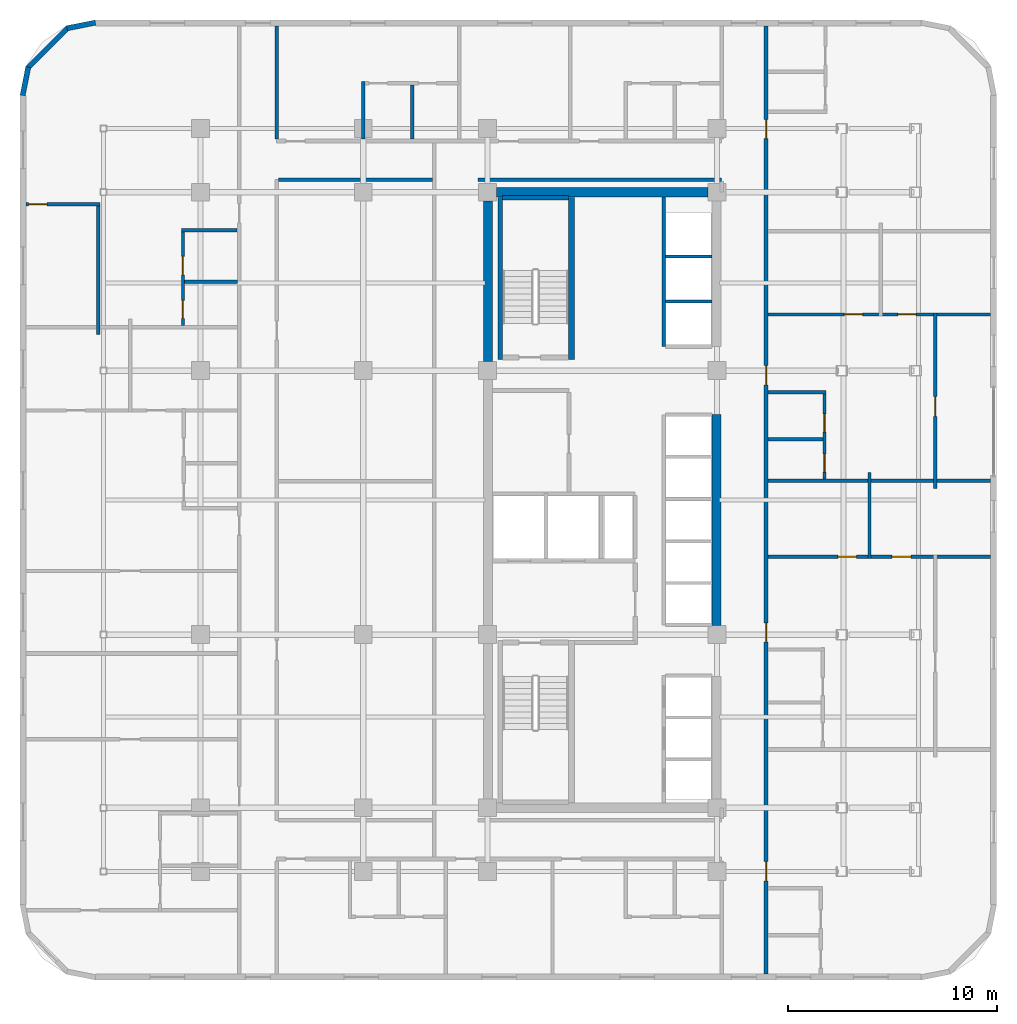
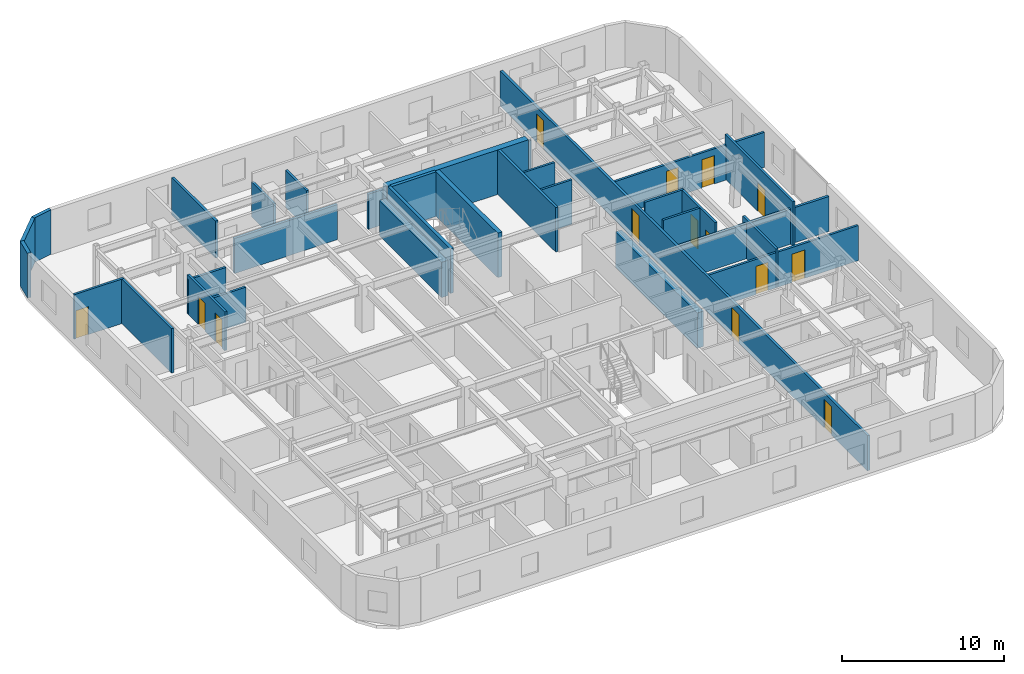
# One storey, part 10 of 13: 31 walls, 14 doors, 14 openings.
"""IFC4 building model written with IfcOpenShell, lengths in metres."""

import ifcopenshell
import ifcopenshell.guid

model = None  # the IFC model being written
_history = None  # IfcOwnerHistory: only IFC2X3 demands one
_inside = {}  # id of a spatial element -> (the spatial element, [elements in it])
_under = {}  # id of a project, library or spatial element -> (it, [spatial elements below it])
_declared = {}  # id of a project -> (the project, [libraries it declares])
_typed = {}  # id of a type object -> (the type object, [elements of that type])
_made_of = {}  # id of a material, layer set ... -> (it, [elements and type objects made of it])


def new_model(schema):
    """Start an empty IFC model of exactly this schema.

    Asked for "IFC4X3", IfcOpenShell would pick the latest addendum, in which some entities
    have other attributes; the version numbers below select the first issue.
    IFC2X3 requires an IfcOwnerHistory on every rooted entity: one is made here for all.
    """
    global model, _history
    if schema == "IFC4X3":
        model = ifcopenshell.file(schema_version=(4, 3, 0, 0))
    else:
        model = ifcopenshell.file(schema=schema)
    _inside.clear()
    _under.clear()
    _declared.clear()
    _typed.clear()
    _made_of.clear()
    _history = None
    if model.schema == "IFC2X3":
        org = make("IfcOrganization", Name="unknown")
        user = make(
            "IfcPersonAndOrganization",
            ThePerson=make("IfcPerson", FamilyName="unknown"),
            TheOrganization=org,
        )
        app = make(
            "IfcApplication",
            ApplicationDeveloper=org,
            Version="unknown",
            ApplicationFullName="unknown",
            ApplicationIdentifier="unknown",
        )
        _history = make(
            "IfcOwnerHistory",
            OwningUser=user,
            OwningApplication=app,
            ChangeAction="ADDED",
            CreationDate=0,
        )
    return model


def make(cls, **values):
    """One entity of the class cls with the attributes given. An attribute that is None is left unset."""
    return model.create_entity(
        cls, **{name: value for name, value in values.items() if value is not None}
    )


def rooted(cls, **values):
    """An entity with a GlobalId (a new one), such as an element, a storey or a relation."""
    return make(cls, GlobalId=ifcopenshell.guid.new(), OwnerHistory=_history, **values)


def si_unit(unit_type, name, prefix=None):
    """IfcSIUnit, for example si_unit("LENGTHUNIT", "METRE", prefix="MILLI")."""
    return make("IfcSIUnit", UnitType=unit_type, Prefix=prefix, Name=name)


def assignment(units):
    """IfcUnitAssignment: the units of a project."""
    return None if units is None else make("IfcUnitAssignment", Units=units)


def point(xyz):
    """IfcCartesianPoint."""
    return None if xyz is None else make("IfcCartesianPoint", Coordinates=xyz)


def direction(xyz):
    """IfcDirection."""
    return None if xyz is None else make("IfcDirection", DirectionRatios=xyz)


def frame(location, z_axis=None, x_axis=None):
    """IfcAxis2Placement3D, a coordinate frame: its origin and axes. An axis left out is left unset."""
    return make(
        "IfcAxis2Placement3D",
        Location=point(location),
        Axis=direction(z_axis),
        RefDirection=direction(x_axis),
    )


def frame_2d(location, x_axis=None):
    """IfcAxis2Placement2D, a coordinate frame in the plane: its origin and x axis."""
    return make(
        "IfcAxis2Placement2D", Location=point(location), RefDirection=direction(x_axis)
    )


def origin():
    """The frame at (0, 0, 0) with its axes left unset."""
    return frame((0.0, 0.0, 0.0))


def place(relative_to, where):
    """IfcLocalPlacement: puts the frame where relative to a parent placement (None: the world)."""
    return make(
        "IfcLocalPlacement", PlacementRelTo=relative_to, RelativePlacement=where
    )


def context(
    kind, dimensions, precision=None, world=None, true_north=None, identifier=None
):
    """IfcGeometricRepresentationContext, for example the 3D "Model" context."""
    return make(
        "IfcGeometricRepresentationContext",
        ContextIdentifier=identifier,
        ContextType=kind,
        CoordinateSpaceDimension=dimensions,
        Precision=precision,
        WorldCoordinateSystem=world,
        TrueNorth=true_north,
    )


def subcontext(parent, identifier, kind, view, scale=None):
    """IfcGeometricRepresentationSubContext, for example "Body" below "Model"."""
    return make(
        "IfcGeometricRepresentationSubContext",
        ContextIdentifier=identifier,
        ContextType=kind,
        ParentContext=parent,
        TargetScale=scale,
        TargetView=view,
    )


def project(units=None, contexts=None):
    """IfcProject with its units and contexts."""
    return rooted(
        "IfcProject",
        Name="project",
        RepresentationContexts=contexts,
        UnitsInContext=assignment(units),
    )


def spatial(cls, under=None, at=None, **own):
    """A site, building, storey or space (cls), placed at a placement, below another one or the project."""
    s = rooted(cls, ObjectPlacement=at, **own)
    if under is not None:
        _under.setdefault(under.id(), (under, []))[1].append(s)
    return s


def profile(cls, at=None, kind="AREA", **sizes):
    """A parametric profile (cls). Its sizes go by their IFC names, for example OverallWidth=200.0."""
    return make(cls, ProfileType=kind, Position=at, **sizes)


def rectangle(**sizes):
    """IfcRectangleProfileDef."""
    return profile("IfcRectangleProfileDef", **sizes)


def extrude(swept, where, along, depth):
    """IfcExtrudedAreaSolid: the profile swept, set in the frame where, extruded along a direction by depth."""
    return make(
        "IfcExtrudedAreaSolid",
        SweptArea=swept,
        Position=where,
        ExtrudedDirection=direction(along),
        Depth=depth,
    )


def shape(context_of_items, identifier, shape_type, items):
    """IfcShapeRepresentation: the items that make up one representation, for example the "Body"."""
    return make(
        "IfcShapeRepresentation",
        ContextOfItems=context_of_items,
        RepresentationIdentifier=identifier,
        RepresentationType=shape_type,
        Items=items,
    )


def material(Name=None, Category=None):
    """IfcMaterial."""
    return make("IfcMaterial", Name=Name, Category=Category)


def layer(
    of_material, thickness, ventilated=None, Name=None, Category=None, Priority=None
):
    """IfcMaterialLayer: one layer of a wall or slab, of a material (None: an air gap)."""
    return make(
        "IfcMaterialLayer",
        Material=of_material,
        LayerThickness=thickness,
        IsVentilated=ventilated,
        Name=Name,
        Category=Category,
        Priority=Priority,
    )


def layer_set(layers, Name=None):
    """IfcMaterialLayerSet."""
    return make("IfcMaterialLayerSet", MaterialLayers=layers, LayerSetName=Name)


def made_of(thing, what):
    """Note that an element or type object is made of a material, layer set ...; save() writes the relation."""
    if what is not None:
        _made_of.setdefault(what.id(), (what, []))[1].append(thing)
    return thing


def type_object(cls, material=None, **own):
    """A type object (cls), such as IfcWallType, which elements share."""
    return made_of(rooted(cls, **own), material)


def element(
    cls,
    number,
    at=None,
    inside=None,
    cuts=None,
    type_object=None,
    material=None,
    context=None,
    identifier="Body",
    shape_type=None,
    held_by="IfcProductDefinitionShape",
    body=None,
    shapes=None,
    **own,
):
    """One element of the class cls, such as IfcWall. Its Tag is "e" and its number.

    at: its placement. inside: the storey or other place that contains it. cuts: it is an
    opening in that element (IfcRelVoidsElement). A single representation is given by context,
    identifier, shape_type and body (its items); several are given by shapes. held_by: the class
    of the entity that holds the representations. save() writes the other relations.
    """
    e = rooted(cls, Tag="e%d" % number, ObjectPlacement=at, **own)
    if body is not None:
        shapes = [shape(context, identifier, shape_type, body)]
    if shapes is not None:
        e.Representation = make(held_by, Representations=shapes)
    if inside is not None:
        _inside.setdefault(inside.id(), (inside, []))[1].append(e)
    if cuts is not None:
        rooted(
            "IfcRelVoidsElement", RelatingBuildingElement=cuts, RelatedOpeningElement=e
        )
    if type_object is not None:
        _typed.setdefault(type_object.id(), (type_object, []))[1].append(e)
    return made_of(e, material)


def fill(opening, filler):
    """IfcRelFillsElement: the door or window that sits in an opening."""
    return rooted(
        "IfcRelFillsElement",
        RelatingOpeningElement=opening,
        RelatedBuildingElement=filler,
    )


def aggregate(whole, parts):
    """IfcRelAggregates: a whole, such as a stair, and the parts it consists of."""
    return rooted("IfcRelAggregates", RelatingObject=whole, RelatedObjects=parts)


def save(model, path):
    """Write the relations noted so far, then the file.

    IfcRelAggregates (storeys below a building ...), IfcRelContainedInSpatialStructure (elements
    in a storey), IfcRelDefinesByType, IfcRelAssociatesMaterial and IfcRelDeclares: one each for
    every whole, place, type object, material and project.
    """
    for whole, parts in _under.values():
        aggregate(whole, parts)
    for where, things in _inside.values():
        rooted(
            "IfcRelContainedInSpatialStructure",
            RelatedElements=things,
            RelatingStructure=where,
        )
    for kind, things in _typed.values():
        rooted("IfcRelDefinesByType", RelatedObjects=things, RelatingType=kind)
    for what, things in _made_of.values():
        rooted("IfcRelAssociatesMaterial", RelatedObjects=things, RelatingMaterial=what)
    for by, libraries in _declared.values():
        rooted("IfcRelDeclares", RelatingContext=by, RelatedDefinitions=libraries)
    model.write(path)


model = new_model("IFC4")

# Units and contexts
model_context = context("Model", 3, precision=1e-05, world=origin(), true_north=direction((0.0, 1.0)))
body_context = subcontext(model_context, "Body", "Model", "MODEL_VIEW")
ifc_project = project(units=[si_unit("LENGTHUNIT", "METRE"), si_unit("AREAUNIT", "SQUARE_METRE"), si_unit("VOLUMEUNIT", "CUBIC_METRE"), si_unit("PLANEANGLEUNIT", "RADIAN"), si_unit("MASSUNIT", "GRAM", prefix="KILO")], contexts=[model_context])

# Site, building, storey
site_placement = place(None, origin())
site = spatial("IfcSite", under=ifc_project, at=site_placement, CompositionType="ELEMENT")
building_placement = place(site_placement, origin())
building = spatial("IfcBuilding", under=site, at=building_placement, Name="Ochreholt Gables", CompositionType="ELEMENT")
storey_placement = place(building_placement, frame((0.0, 0.0, 34.800048828125)))
storey = spatial("IfcBuildingStorey", under=building, at=storey_placement, Name="L08", CompositionType="ELEMENT", Elevation=34.800048828125)

# Walls
ifc_material_1 = material(Name="Concrete 60 MPa", Category="concrete")
ifc_layer_1 = layer(ifc_material_1, 0.449951171875, Name="Concrete 60 MPa")
ifc_layer_set_1 = layer_set([ifc_layer_1], Name="Concrete 60 MPa")
wall_type_1 = type_object("IfcWallType", Name="WALL-CSW-450", PredefinedType="SHEAR", material=ifc_layer_set_1)
wall_1_placement = place(storey_placement, frame((24.22509765625, 30.625, 0.0), z_axis=(0.0, 0.0, 1.0), x_axis=(0.0, 1.0, 0.0)))
element("IfcWall", 1, at=wall_1_placement, inside=storey, type_object=wall_type_1, Name="L08 Core West Shear Wall WN", PredefinedType="SHEAR", context=body_context, shape_type="SweptSolid", body=[
    extrude(rectangle(XDim=7.699951171875, YDim=0.449951171875, at=frame_2d((3.85009765625, 0.0))), origin(), (0.0, 0.0, 1.0), 2.6669921875),
])
wall_2_placement = place(storey_placement, frame((35.175048828125, 17.97509765625, 0.0), z_axis=(0.0, 0.0, 1.0), x_axis=(0.0, 1.0, 0.0)))
element("IfcWall", 2, at=wall_2_placement, inside=storey, type_object=wall_type_1, Name="L08 Core Central-East Shear Wall", PredefinedType="SHEAR", context=body_context, shape_type="SweptSolid", body=[
    extrude(rectangle(XDim=10.125, YDim=0.449951171875, at=frame_2d((5.0625, 0.0))), origin(), (0.0, 0.0, 1.0), 2.6669921875),
])
wall_3_placement = place(storey_placement, frame((24.625, 38.75, 0.0), z_axis=(0.0, 0.0, 1.0), x_axis=(1.0, 0.0, 0.0)))
element("IfcWall", 3, at=wall_3_placement, inside=storey, type_object=wall_type_1, Name="L08 Core North Shear Wall", PredefinedType="SHEAR", context=body_context, shape_type="SweptSolid", body=[
    extrude(rectangle(XDim=10.14990234375, YDim=0.449951171875, at=frame_2d((5.074951171875, 0.0))), origin(), (0.0, 0.0, 1.0), 3.35986328125),
])
ifc_material_2 = material(Name="Precast concrete 40 MPa", Category="concrete")
ifc_layer_2 = layer(ifc_material_2, 0.25, Name="Precast concrete 40 MPa")
ifc_layer_set_2 = layer_set([ifc_layer_2], Name="Precast concrete 40 MPa")
wall_type_2 = type_object("IfcWallType", Name="WALL-EXT-CNR", PredefinedType="SOLIDWALL", material=ifc_layer_set_2)
wall_4_placement = place(storey_placement, frame((5.41650390625, 46.875732421875, 0.0), z_axis=(0.0, 0.0, 1.0), x_axis=(-0.980809899341, -0.19496651342, 0.0)))
element("IfcWall", 4, at=wall_4_placement, inside=storey, type_object=wall_type_2, Name="L08 Rounded Corner Wall NW-1", PredefinedType="SOLIDWALL", context=body_context, shape_type="SweptSolid", body=[
    extrude(rectangle(XDim=1.388671875, YDim=0.25, at=frame_2d((0.6943359375, 0.0))), origin(), (0.0, 0.0, 1.0), 3.35986328125),
])
wall_5_placement = place(storey_placement, frame((4.10498046875, 46.632080078125, 0.0), z_axis=(0.0, 0.0, 1.0), x_axis=(-0.707106781187, -0.707106781187, 0.0)))
element("IfcWall", 5, at=wall_5_placement, inside=storey, type_object=wall_type_2, Name="L08 Rounded Corner Wall NW-2", PredefinedType="SOLIDWALL", context=body_context, shape_type="SweptSolid", body=[
    extrude(rectangle(XDim=2.7392578125, YDim=0.25, at=frame_2d((1.36962890625, 0.0))), origin(), (0.0, 0.0, 1.0), 3.35986328125),
])
wall_6_placement = place(storey_placement, frame((2.195068359375, 44.74560546875, 0.0), z_axis=(0.0, 0.0, 1.0), x_axis=(-0.19496651342, -0.980809899341, 0.0)))
element("IfcWall", 6, at=wall_6_placement, inside=storey, type_object=wall_type_2, Name="L08 Rounded Corner Wall NW-3", PredefinedType="SOLIDWALL", context=body_context, shape_type="SweptSolid", body=[
    extrude(rectangle(XDim=1.388671875, YDim=0.25, at=frame_2d((0.6943359375, 0.0))), origin(), (0.0, 0.0, 1.0), 3.35986328125),
])

# Wall, openings, doors
ifc_material_3 = material(Name="Fire-Rated Gypsum Acoustic Partition", Category="gypsum")
ifc_layer_3 = layer(ifc_material_3, 0.179931640625, Name="Fire-Rated Gypsum Acoustic Partition")
ifc_layer_set_3 = layer_set([ifc_layer_3], Name="Fire-Rated Gypsum Acoustic Partition")
wall_type_3 = type_object("IfcWallType", Name="WALL-INT-CR180", PredefinedType="STANDARD", material=ifc_layer_set_3)
wall_7_placement = place(storey_placement, frame((37.550048828125, 1.2900390625, 0.0), z_axis=(0.0, 0.0, 1.0), x_axis=(0.0, 1.0, 0.0)))
wall_7 = element("IfcWall", 7, at=wall_7_placement, inside=storey, type_object=wall_type_3, Name="L08 Interior Wall WI-C1E-L08", PredefinedType="STANDARD", context=body_context, shape_type="SweptSolid", body=[
    extrude(rectangle(XDim=45.419921875, YDim=0.179931640625, at=frame_2d((22.7099609375, 0.0))), origin(), (0.0, 0.0, 1.0), 2.64892578125),
])
opening_1_placement = place(wall_7_placement, frame((4.4599609375, 0.0, 0.0)))
opening_1 = element("IfcOpeningElement", 8, at=opening_1_placement, cuts=wall_7, Name="Opening D-UN1", PredefinedType="OPENING", context=body_context, shape_type="SweptSolid", body=[
    extrude(rectangle(XDim=0.919921875, YDim=2.14990234375, at=frame_2d((0.4599609375, 1.074951171875))), frame((0.0, 0.099853515625, 0.0), z_axis=(0.0, -1.0, 0.0), x_axis=(1.0, 0.0, 0.0)), (0.0, 0.0, 1.0), 0.199951171875),
])
opening_2_placement = place(wall_7_placement, frame((15.906982421875, 0.0, 0.0)))
opening_2 = element("IfcOpeningElement", 9, at=opening_2_placement, cuts=wall_7, Name="Opening D-UN1", PredefinedType="OPENING", context=body_context, shape_type="SweptSolid", body=[
    extrude(rectangle(XDim=0.919921875, YDim=2.14990234375, at=frame_2d((0.4599609375, 1.074951171875))), frame((0.0, 0.099853515625, 0.0), z_axis=(0.0, -1.0, 0.0), x_axis=(1.0, 0.0, 0.0)), (0.0, 0.0, 1.0), 0.199951171875),
])
opening_3_placement = place(wall_7_placement, frame((28.22998046875, 0.0, 0.0)))
opening_3 = element("IfcOpeningElement", 10, at=opening_3_placement, cuts=wall_7, Name="Opening D-UN1", PredefinedType="OPENING", context=body_context, shape_type="SweptSolid", body=[
    extrude(rectangle(XDim=0.919921875, YDim=2.14990234375, at=frame_2d((0.4599609375, 1.074951171875))), frame((0.0, 0.099853515625, 0.0), z_axis=(0.0, -1.0, 0.0), x_axis=(1.0, 0.0, 0.0)), (0.0, 0.0, 1.0), 0.199951171875),
])
opening_4_placement = place(wall_7_placement, frame((40.02001953125, 0.0, 0.0)))
opening_4 = element("IfcOpeningElement", 11, at=opening_4_placement, cuts=wall_7, Name="Opening D-UN1", PredefinedType="OPENING", context=body_context, shape_type="SweptSolid", body=[
    extrude(rectangle(XDim=0.919921875, YDim=2.14990234375, at=frame_2d((0.4599609375, 1.074951171875))), frame((0.0, 0.099853515625, 0.0), z_axis=(0.0, -1.0, 0.0), x_axis=(1.0, 0.0, 0.0)), (0.0, 0.0, 1.0), 0.199951171875),
])
ifc_material_4 = material(Name="Engineered Oak Timber", Category="wood")
door_type_1 = type_object("IfcDoorType", Name="DR-INT-UNT920", OperationType="NOTDEFINED", PredefinedType="DOOR", material=ifc_material_4)
door_1_placement = place(opening_1_placement, origin())
door_1 = element("IfcDoor", 12, at=door_1_placement, inside=storey, type_object=door_type_1, Name="L08 Door D-U-L08E1-ENT", OperationType="SINGLE_SWING_RIGHT", OverallHeight=2.14990234375, OverallWidth=0.919921875, PredefinedType="DOOR", context=body_context, shape_type="SweptSolid", body=[
    extrude(rectangle(XDim=0.919921875, YDim=2.14990234375, at=frame_2d((0.4599609375, 1.074951171875))), frame((0.0, 0.02490234375, 0.0), z_axis=(0.0, -1.0, 0.0), x_axis=(1.0, 0.0, 0.0)), (0.0, 0.0, 1.0), 0.050048828125),
])
fill(opening_1, door_1)
door_2_placement = place(opening_2_placement, origin())
door_2 = element("IfcDoor", 13, at=door_2_placement, inside=storey, type_object=door_type_1, Name="L08 Door D-U-L08E2-ENT", OperationType="SINGLE_SWING_LEFT", OverallHeight=2.14990234375, OverallWidth=0.919921875, PredefinedType="DOOR", context=body_context, shape_type="SweptSolid", body=[
    extrude(rectangle(XDim=0.919921875, YDim=2.14990234375, at=frame_2d((0.4599609375, 1.074951171875))), frame((0.0, 0.02490234375, 0.0), z_axis=(0.0, -1.0, 0.0), x_axis=(1.0, 0.0, 0.0)), (0.0, 0.0, 1.0), 0.050048828125),
])
fill(opening_2, door_2)
door_3_placement = place(opening_3_placement, origin())
door_3 = element("IfcDoor", 14, at=door_3_placement, inside=storey, type_object=door_type_1, Name="L08 Door D-U-L08E3-ENT", OperationType="SINGLE_SWING_RIGHT", OverallHeight=2.14990234375, OverallWidth=0.919921875, PredefinedType="DOOR", context=body_context, shape_type="SweptSolid", body=[
    extrude(rectangle(XDim=0.919921875, YDim=2.14990234375, at=frame_2d((0.4599609375, 1.074951171875))), frame((0.0, 0.02490234375, 0.0), z_axis=(0.0, -1.0, 0.0), x_axis=(1.0, 0.0, 0.0)), (0.0, 0.0, 1.0), 0.050048828125),
])
fill(opening_3, door_3)
door_4_placement = place(opening_4_placement, origin())
door_4 = element("IfcDoor", 15, at=door_4_placement, inside=storey, type_object=door_type_1, Name="L08 Door D-U-L08E4-ENT", OperationType="SINGLE_SWING_LEFT", OverallHeight=2.14990234375, OverallWidth=0.919921875, PredefinedType="DOOR", context=body_context, shape_type="SweptSolid", body=[
    extrude(rectangle(XDim=0.919921875, YDim=2.14990234375, at=frame_2d((0.4599609375, 1.074951171875))), frame((0.0, 0.02490234375, 0.0), z_axis=(0.0, -1.0, 0.0), x_axis=(1.0, 0.0, 0.0)), (0.0, 0.0, 1.0), 0.050048828125),
])
fill(opening_4, door_4)

# Walls
wall_8_placement = place(storey_placement, frame((23.75, 39.35009765625, 0.0), z_axis=(0.0, 0.0, 1.0), x_axis=(1.0, 0.0, 0.0)))
element("IfcWall", 16, at=wall_8_placement, inside=storey, type_object=wall_type_3, Name="L08 Interior Wall WI-C1N2-L08", PredefinedType="STANDARD", context=body_context, shape_type="SweptSolid", body=[
    extrude(rectangle(XDim=11.669921875, YDim=0.179931640625, at=frame_2d((5.8349609375, 0.0))), origin(), (0.0, 0.0, 1.0), 2.64892578125),
])
wall_9_placement = place(storey_placement, frame((14.18994140625, 39.35009765625, 0.0), z_axis=(0.0, 0.0, 1.0), x_axis=(1.0, 0.0, 0.0)))
element("IfcWall", 17, at=wall_9_placement, inside=storey, type_object=wall_type_3, Name="L08 Interior Wall WI-C1N2W-L08", PredefinedType="STANDARD", context=body_context, shape_type="SweptSolid", body=[
    extrude(rectangle(XDim=7.3701171875, YDim=0.179931640625, at=frame_2d((3.68505859375, 0.0))), origin(), (0.0, 0.0, 1.0), 2.64892578125),
])
ifc_material_5 = material(Name="Double-Stud Acoustic Demising Wall", Category="gypsum")
ifc_layer_4 = layer(ifc_material_5, 0.179931640625, Name="Double-Stud Acoustic Demising Wall")
ifc_layer_set_4 = layer_set([ifc_layer_4], Name="Double-Stud Acoustic Demising Wall")
wall_type_4 = type_object("IfcWallType", Name="WALL-INT-DM180", PredefinedType="PARTITIONING", material=ifc_layer_set_4)
wall_10_placement = place(storey_placement, frame((14.10009765625, 41.2900390625, 0.0), z_axis=(0.0, 0.0, 1.0), x_axis=(0.0, 1.0, 0.0)))
element("IfcWall", 18, at=wall_10_placement, inside=storey, type_object=wall_type_4, Name="L08 Interior Wall WI-C1WNI-L08", PredefinedType="PARTITIONING", context=body_context, shape_type="SweptSolid", body=[
    extrude(rectangle(XDim=5.419921875, YDim=0.179931640625, at=frame_2d((2.7099609375, 0.0))), origin(), (0.0, 0.0, 1.0), 2.808837890625),
])
wall_11_placement = place(storey_placement, frame((37.639892578125, 24.919921875, 0.0), z_axis=(0.0, 0.0, 1.0), x_axis=(1.0, 0.0, 0.0)))
element("IfcWall", 19, at=wall_11_placement, inside=storey, type_object=wall_type_4, Name="L08 Interior Wall WI-UDE3-L08", PredefinedType="PARTITIONING", context=body_context, shape_type="SweptSolid", body=[
    extrude(rectangle(XDim=10.670166015625, YDim=0.179931640625, at=frame_2d((5.3349609375, 0.0))), origin(), (0.0, 0.0, 1.0), 2.64892578125),
])
ifc_material_6 = material(Name="Moisture-Resistant Plumbing Chase Wall", Category="gypsum")
ifc_layer_5 = layer(ifc_material_6, 0.159912109375, Name="Moisture-Resistant Plumbing Chase Wall")
ifc_layer_set_5 = layer_set([ifc_layer_5], Name="Moisture-Resistant Plumbing Chase Wall")
wall_type_5 = type_object("IfcWallType", Name="WALL-INT-PL160", PredefinedType="PLUMBINGWALL", material=ifc_layer_set_5)
wall_12_placement = place(storey_placement, frame((37.639892578125, 29.159912109375, 0.0), z_axis=(0.0, 0.0, 1.0), x_axis=(1.0, 0.0, 0.0)))
element("IfcWall", 20, at=wall_12_placement, inside=storey, type_object=wall_type_5, Name="L08 Interior Wall WU-L08E3-FYN", PredefinedType="PLUMBINGWALL", context=body_context, shape_type="SweptSolid", body=[
    extrude(rectangle(XDim=2.7880859375, YDim=0.159912109375, at=frame_2d((1.39404296875, 0.0))), origin(), (0.0, 0.0, 1.0), 3.35986328125),
])

# Wall, openings, doors
wall_13_placement = place(storey_placement, frame((40.347900390625, 25.010009765625, 0.0), z_axis=(0.0, 0.0, 1.0), x_axis=(0.0, 1.0, 0.0)))
wall_13 = element("IfcWall", 21, at=wall_13_placement, inside=storey, type_object=wall_type_5, Name="L08 Interior Wall WU-L08E3-WX", PredefinedType="PLUMBINGWALL", context=body_context, shape_type="SweptSolid", body=[
    extrude(rectangle(XDim=4.239990234375, YDim=0.159912109375, at=frame_2d((2.1201171875, 0.0))), origin(), (0.0, 0.0, 1.0), 3.35986328125),
])
opening_5_placement = place(wall_13_placement, frame((0.330078125, 0.0, 0.0)))
opening_5 = element("IfcOpeningElement", 22, at=opening_5_placement, cuts=wall_13, Name="Opening D-BT1", PredefinedType="OPENING", context=body_context, shape_type="SweptSolid", body=[
    extrude(rectangle(XDim=0.860107421875, YDim=2.1201171875, at=frame_2d((0.43017578125, 1.06005859375))), frame((0.0, 0.08984375, 0.0), z_axis=(0.0, -1.0, 0.0), x_axis=(1.0, 0.0, 0.0)), (0.0, 0.0, 1.0), 0.179931640625),
])
opening_6_placement = place(wall_13_placement, frame((2.239013671875, 0.0, 0.0)))
opening_6 = element("IfcOpeningElement", 23, at=opening_6_placement, cuts=wall_13, Name="Opening D-GN2", PredefinedType="OPENING", context=body_context, shape_type="SweptSolid", body=[
    extrude(rectangle(XDim=0.8798828125, YDim=2.1201171875, at=frame_2d((0.43994140625, 1.06005859375))), frame((0.0, 0.08984375, 0.0), z_axis=(0.0, -1.0, 0.0), x_axis=(1.0, 0.0, 0.0)), (0.0, 0.0, 1.0), 0.179931640625),
])
door_type_2 = type_object("IfcDoorType", Name="DR-INT-BTH860", OperationType="NOTDEFINED", PredefinedType="DOOR", material=ifc_material_4)
door_5_placement = place(opening_5_placement, origin())
door_5 = element("IfcDoor", 24, at=door_5_placement, inside=storey, type_object=door_type_2, Name="L08 Door D-U-L08E3-BTH", OperationType="SINGLE_SWING_LEFT", OverallHeight=2.1201171875, OverallWidth=0.860107421875, PredefinedType="DOOR", context=body_context, shape_type="SweptSolid", body=[
    extrude(rectangle(XDim=0.860107421875, YDim=2.1201171875, at=frame_2d((0.43017578125, 1.06005859375))), frame((0.0, 0.02490234375, 0.0), z_axis=(0.0, -1.0, 0.0), x_axis=(1.0, 0.0, 0.0)), (0.0, 0.0, 1.0), 0.050048828125),
])
fill(opening_5, door_5)
door_type_3 = type_object("IfcDoorType", Name="DR-INT-GEN880", OperationType="NOTDEFINED", PredefinedType="DOOR", material=ifc_material_4)
door_6_placement = place(opening_6_placement, origin())
door_6 = element("IfcDoor", 25, at=door_6_placement, inside=storey, type_object=door_type_3, Name="L08 Door D-U-L08E3-KIT", OperationType="SINGLE_SWING_RIGHT", OverallHeight=2.1201171875, OverallWidth=0.8798828125, PredefinedType="DOOR", context=body_context, shape_type="SweptSolid", body=[
    extrude(rectangle(XDim=0.8798828125, YDim=2.1201171875, at=frame_2d((0.43994140625, 1.06005859375))), frame((0.0, 0.02490234375, 0.0), z_axis=(0.0, -1.0, 0.0), x_axis=(1.0, 0.0, 0.0)), (0.0, 0.0, 1.0), 0.050048828125),
])
fill(opening_6, door_6)

# Walls
wall_14_placement = place(storey_placement, frame((37.639892578125, 26.9189453125, 0.0), z_axis=(0.0, 0.0, 1.0), x_axis=(1.0, 0.0, 0.0)))
element("IfcWall", 26, at=wall_14_placement, inside=storey, type_object=wall_type_5, Name="L08 Interior Wall WU-L08E3-WK", PredefinedType="PLUMBINGWALL", context=body_context, shape_type="SweptSolid", body=[
    extrude(rectangle(XDim=2.628173828125, YDim=0.159912109375, at=frame_2d((1.31396484375, 0.0))), origin(), (0.0, 0.0, 1.0), 3.35986328125),
])
wall_15_placement = place(storey_placement, frame((9.528076171875, 36.919921875, 0.0), z_axis=(0.0, 0.0, 1.0), x_axis=(1.0, 0.0, 0.0)))
element("IfcWall", 27, at=wall_15_placement, inside=storey, type_object=wall_type_5, Name="L08 Interior Wall WU-L08W3-WYN", PredefinedType="PLUMBINGWALL", context=body_context, shape_type="SweptSolid", body=[
    extrude(rectangle(XDim=2.681884765625, YDim=0.159912109375, at=frame_2d((1.3408203125, 0.0))), origin(), (0.0, 0.0, 1.0), 2.64892578125),
])

# Wall, openings, doors
wall_16_placement = place(storey_placement, frame((9.60791015625, 32.3701171875, 0.0), z_axis=(0.0, 0.0, 1.0), x_axis=(0.0, 1.0, 0.0)))
wall_16 = element("IfcWall", 28, at=wall_16_placement, inside=storey, type_object=wall_type_5, Name="L08 Interior Wall WU-L08W3-WX", PredefinedType="PLUMBINGWALL", context=body_context, shape_type="SweptSolid", body=[
    extrude(rectangle(XDim=4.639892578125, YDim=0.159912109375, at=frame_2d((2.31982421875, 0.0))), origin(), (0.0, 0.0, 1.0), 2.931884765625),
])
opening_7_placement = place(wall_16_placement, frame((0.330078125, 0.0, 0.0)))
opening_7 = element("IfcOpeningElement", 29, at=opening_7_placement, cuts=wall_16, Name="Opening D-BT1", PredefinedType="OPENING", context=body_context, shape_type="SweptSolid", body=[
    extrude(rectangle(XDim=0.860107421875, YDim=2.1201171875, at=frame_2d((0.43017578125, 1.06005859375))), frame((0.0, 0.08984375, 0.0), z_axis=(0.0, -1.0, 0.0), x_axis=(1.0, 0.0, 0.0)), (0.0, 0.0, 1.0), 0.179931640625),
])
opening_8_placement = place(wall_16_placement, frame((2.423095703125, 0.0, 0.0)))
opening_8 = element("IfcOpeningElement", 30, at=opening_8_placement, cuts=wall_16, Name="Opening D-GN2", PredefinedType="OPENING", context=body_context, shape_type="SweptSolid", body=[
    extrude(rectangle(XDim=0.8798828125, YDim=2.1201171875, at=frame_2d((0.43994140625, 1.06005859375))), frame((0.0, 0.08984375, 0.0), z_axis=(0.0, -1.0, 0.0), x_axis=(1.0, 0.0, 0.0)), (0.0, 0.0, 1.0), 0.179931640625),
])
door_7_placement = place(opening_7_placement, origin())
door_7 = element("IfcDoor", 31, at=door_7_placement, inside=storey, type_object=door_type_2, Name="L08 Door D-U-L08W3-BTH", OperationType="SINGLE_SWING_LEFT", OverallHeight=2.1201171875, OverallWidth=0.860107421875, PredefinedType="DOOR", context=body_context, shape_type="SweptSolid", body=[
    extrude(rectangle(XDim=0.860107421875, YDim=2.1201171875, at=frame_2d((0.43017578125, 1.06005859375))), frame((0.0, 0.02490234375, 0.0), z_axis=(0.0, -1.0, 0.0), x_axis=(1.0, 0.0, 0.0)), (0.0, 0.0, 1.0), 0.050048828125),
])
fill(opening_7, door_7)
door_8_placement = place(opening_8_placement, origin())
door_8 = element("IfcDoor", 32, at=door_8_placement, inside=storey, type_object=door_type_3, Name="L08 Door D-U-L08W3-KIT", OperationType="SINGLE_SWING_RIGHT", OverallHeight=2.1201171875, OverallWidth=0.8798828125, PredefinedType="DOOR", context=body_context, shape_type="SweptSolid", body=[
    extrude(rectangle(XDim=0.8798828125, YDim=2.1201171875, at=frame_2d((0.43994140625, 1.06005859375))), frame((0.0, 0.02490234375, 0.0), z_axis=(0.0, -1.0, 0.0), x_axis=(1.0, 0.0, 0.0)), (0.0, 0.0, 1.0), 0.050048828125),
])
fill(opening_8, door_8)

# Walls
wall_17_placement = place(storey_placement, frame((9.68798828125, 34.462890625, 0.0), z_axis=(0.0, 0.0, 1.0), x_axis=(1.0, 0.0, 0.0)))
element("IfcWall", 33, at=wall_17_placement, inside=storey, type_object=wall_type_5, Name="L08 Interior Wall WU-L08W3-WM", PredefinedType="PLUMBINGWALL", context=body_context, shape_type="SweptSolid", body=[
    extrude(rectangle(XDim=2.52197265625, YDim=0.159912109375, at=frame_2d((1.260986328125, 0.0))), origin(), (0.0, 0.0, 1.0), 2.64892578125),
])
wall_18_placement = place(storey_placement, frame((18.251220703125, 41.2900390625, 0.0), z_axis=(0.0, 0.0, 1.0), x_axis=(0.0, 1.0, 0.0)))
element("IfcWall", 34, at=wall_18_placement, inside=storey, type_object=wall_type_5, Name="L08 Interior Wall WU-L08N1-FY", PredefinedType="PLUMBINGWALL", context=body_context, shape_type="SweptSolid", body=[
    extrude(rectangle(XDim=2.760009765625, YDim=0.159912109375, at=frame_2d((1.3798828125, 0.0))), origin(), (0.0, 0.0, 1.0), 2.64892578125),
])
wall_19_placement = place(storey_placement, frame((20.59130859375, 41.2900390625, 0.0), z_axis=(0.0, 0.0, 1.0), x_axis=(0.0, 1.0, 0.0)))
element("IfcWall", 35, at=wall_19_placement, inside=storey, type_object=wall_type_5, Name="L08 Interior Wall WU-L08N1-WK", PredefinedType="PLUMBINGWALL", context=body_context, shape_type="SweptSolid", body=[
    extrude(rectangle(XDim=2.599853515625, YDim=0.159912109375, at=frame_2d((1.2998046875, 0.0))), origin(), (0.0, 0.0, 1.0), 2.808837890625),
])

# Wall, openings, doors
ifc_material_7 = material(Name="Gypsum Acoustic Stud Partition", Category="gypsum")
ifc_layer_6 = layer(ifc_material_7, 0.159912109375, Name="Gypsum Acoustic Stud Partition")
ifc_layer_set_6 = layer_set([ifc_layer_6], Name="Gypsum Acoustic Stud Partition")
wall_type_6 = type_object("IfcWallType", Name="WALL-INT-PT160", PredefinedType="PARTITIONING", material=ifc_layer_set_6)
wall_20_placement = place(storey_placement, frame((37.639892578125, 21.280029296875, 0.0), z_axis=(0.0, 0.0, 1.0), x_axis=(1.0, 0.0, 0.0)))
wall_20 = element("IfcWall", 36, at=wall_20_placement, inside=storey, type_object=wall_type_6, Name="L08 Interior Wall WU-L08E2-MN", PredefinedType="PARTITIONING", context=body_context, shape_type="SweptSolid", body=[
    extrude(rectangle(XDim=10.670166015625, YDim=0.159912109375, at=frame_2d((5.3349609375, 0.0))), origin(), (0.0, 0.0, 1.0), 2.64892578125),
])
opening_9_placement = place(wall_20_placement, frame((3.353271484375, 0.0, 0.0)))
opening_9 = element("IfcOpeningElement", 37, at=opening_9_placement, cuts=wall_20, Name="Opening D-GN2", PredefinedType="OPENING", context=body_context, shape_type="SweptSolid", body=[
    extrude(rectangle(XDim=0.8798828125, YDim=2.1201171875, at=frame_2d((0.43994140625, 1.06005859375))), frame((0.0, 0.08984375, 0.0), z_axis=(0.0, -1.0, 0.0), x_axis=(1.0, 0.0, 0.0)), (0.0, 0.0, 1.0), 0.179931640625),
])
opening_10_placement = place(wall_20_placement, frame((5.9423828125, 0.0, 0.0)))
opening_10 = element("IfcOpeningElement", 38, at=opening_10_placement, cuts=wall_20, Name="Opening D-BD1", PredefinedType="OPENING", context=body_context, shape_type="SweptSolid", body=[
    extrude(rectangle(XDim=0.89990234375, YDim=2.139892578125, at=frame_2d((0.449951171875, 1.06982421875))), frame((0.0, 0.08984375, 0.0), z_axis=(0.0, -1.0, 0.0), x_axis=(1.0, 0.0, 0.0)), (0.0, 0.0, 1.0), 0.179931640625),
])
door_type_4 = type_object("IfcDoorType", Name="DR-INT-BED900", OperationType="NOTDEFINED", PredefinedType="DOOR", material=ifc_material_4)
door_9_placement = place(opening_10_placement, origin())
door_9 = element("IfcDoor", 39, at=door_9_placement, inside=storey, type_object=door_type_4, Name="L08 Door D-U-L08E2-BD1", OperationType="SINGLE_SWING_RIGHT", OverallHeight=2.139892578125, OverallWidth=0.89990234375, PredefinedType="DOOR", context=body_context, shape_type="SweptSolid", body=[
    extrude(rectangle(XDim=0.89990234375, YDim=2.139892578125, at=frame_2d((0.449951171875, 1.06982421875))), frame((0.0, 0.02490234375, 0.0), z_axis=(0.0, -1.0, 0.0), x_axis=(1.0, 0.0, 0.0)), (0.0, 0.0, 1.0), 0.050048828125),
])
fill(opening_10, door_9)
door_10_placement = place(opening_9_placement, origin())
door_10 = element("IfcDoor", 40, at=door_10_placement, inside=storey, type_object=door_type_3, Name="L08 Door D-U-L08E2-STD", OperationType="SINGLE_SWING_LEFT", OverallHeight=2.1201171875, OverallWidth=0.8798828125, PredefinedType="DOOR", context=body_context, shape_type="SweptSolid", body=[
    extrude(rectangle(XDim=0.8798828125, YDim=2.1201171875, at=frame_2d((0.43994140625, 1.06005859375))), frame((0.0, 0.02490234375, 0.0), z_axis=(0.0, -1.0, 0.0), x_axis=(1.0, 0.0, 0.0)), (0.0, 0.0, 1.0), 0.050048828125),
])
fill(opening_9, door_10)

# Wall
wall_21_placement = place(storey_placement, frame((42.50439453125, 21.199951171875, 0.0), z_axis=(0.0, 0.0, 1.0), x_axis=(0.0, 1.0, 0.0)))
element("IfcWall", 41, at=wall_21_placement, inside=storey, type_object=wall_type_6, Name="L08 Interior Wall WU-L08E2-BSD", PredefinedType="PARTITIONING", context=body_context, shape_type="SweptSolid", body=[
    extrude(rectangle(XDim=4.110107421875, YDim=0.159912109375, at=frame_2d((2.05517578125, 0.0))), origin(), (0.0, 0.0, 1.0), 2.931884765625),
])

# Wall, openings, doors
wall_22_placement = place(storey_placement, frame((37.639892578125, 32.889892578125, 0.0), z_axis=(0.0, 0.0, 1.0), x_axis=(1.0, 0.0, 0.0)))
wall_22 = element("IfcWall", 42, at=wall_22_placement, inside=storey, type_object=wall_type_6, Name="L08 Interior Wall WU-L08E3-MN", PredefinedType="PARTITIONING", context=body_context, shape_type="SweptSolid", body=[
    extrude(rectangle(XDim=10.670166015625, YDim=0.159912109375, at=frame_2d((5.3349609375, 0.0))), origin(), (0.0, 0.0, 1.0), 2.64892578125),
])
opening_11_placement = place(wall_22_placement, frame((3.66162109375, 0.0, 0.0)))
opening_11 = element("IfcOpeningElement", 43, at=opening_11_placement, cuts=wall_22, Name="Opening D-BD2", PredefinedType="OPENING", context=body_context, shape_type="SweptSolid", body=[
    extrude(rectangle(XDim=0.8798828125, YDim=2.139892578125, at=frame_2d((0.43994140625, 1.06982421875))), frame((0.0, 0.08984375, 0.0), z_axis=(0.0, -1.0, 0.0), x_axis=(1.0, 0.0, 0.0)), (0.0, 0.0, 1.0), 0.179931640625),
])
opening_12_placement = place(wall_22_placement, frame((6.222412109375, 0.0, 0.0)))
opening_12 = element("IfcOpeningElement", 44, at=opening_12_placement, cuts=wall_22, Name="Opening D-BD2", PredefinedType="OPENING", context=body_context, shape_type="SweptSolid", body=[
    extrude(rectangle(XDim=0.8798828125, YDim=2.139892578125, at=frame_2d((0.43994140625, 1.06982421875))), frame((0.0, 0.08984375, 0.0), z_axis=(0.0, -1.0, 0.0), x_axis=(1.0, 0.0, 0.0)), (0.0, 0.0, 1.0), 0.179931640625),
])
door_type_5 = type_object("IfcDoorType", Name="DR-INT-BED880", OperationType="NOTDEFINED", PredefinedType="DOOR", material=ifc_material_4)
door_11_placement = place(opening_11_placement, origin())
door_11 = element("IfcDoor", 45, at=door_11_placement, inside=storey, type_object=door_type_5, Name="L08 Door D-U-L08E3-BD1", OperationType="SINGLE_SWING_RIGHT", OverallHeight=2.139892578125, OverallWidth=0.8798828125, PredefinedType="DOOR", context=body_context, shape_type="SweptSolid", body=[
    extrude(rectangle(XDim=0.8798828125, YDim=2.139892578125, at=frame_2d((0.43994140625, 1.06982421875))), frame((0.0, 0.02490234375, 0.0), z_axis=(0.0, -1.0, 0.0), x_axis=(1.0, 0.0, 0.0)), (0.0, 0.0, 1.0), 0.050048828125),
])
fill(opening_11, door_11)
door_12_placement = place(opening_12_placement, origin())
door_12 = element("IfcDoor", 46, at=door_12_placement, inside=storey, type_object=door_type_5, Name="L08 Door D-U-L08E3-BD2", OperationType="SINGLE_SWING_LEFT", OverallHeight=2.139892578125, OverallWidth=0.8798828125, PredefinedType="DOOR", context=body_context, shape_type="SweptSolid", body=[
    extrude(rectangle(XDim=0.8798828125, YDim=2.139892578125, at=frame_2d((0.43994140625, 1.06982421875))), frame((0.0, 0.02490234375, 0.0), z_axis=(0.0, -1.0, 0.0), x_axis=(1.0, 0.0, 0.0)), (0.0, 0.0, 1.0), 0.050048828125),
])
fill(opening_12, door_12)

# Wall, opening, door
wall_23_placement = place(storey_placement, frame((45.64990234375, 24.56005859375, 0.0), z_axis=(0.0, 0.0, 1.0), x_axis=(0.0, 1.0, 0.0)))
wall_23 = element("IfcWall", 47, at=wall_23_placement, inside=storey, type_object=wall_type_6, Name="L08 Interior Wall WU-L08E3-DNV", PredefinedType="PARTITIONING", context=body_context, shape_type="SweptSolid", body=[
    extrude(rectangle(XDim=8.409912109375, YDim=0.159912109375, at=frame_2d((4.205078125, 0.0))), origin(), (0.0, 0.0, 1.0), 3.35986328125),
])
opening_13_placement = place(wall_23_placement, frame((3.445068359375, 0.0, 0.0)))
opening_13 = element("IfcOpeningElement", 48, at=opening_13_placement, cuts=wall_23, Name="Opening D-GN1", PredefinedType="OPENING", context=body_context, shape_type="SweptSolid", body=[
    extrude(rectangle(XDim=0.949951171875, YDim=2.14990234375, at=frame_2d((0.47509765625, 1.074951171875))), frame((0.0, 0.08984375, 0.0), z_axis=(0.0, -1.0, 0.0), x_axis=(1.0, 0.0, 0.0)), (0.0, 0.0, 1.0), 0.179931640625),
])
door_type_6 = type_object("IfcDoorType", Name="DR-INT-GEN950", OperationType="NOTDEFINED", PredefinedType="DOOR", material=ifc_material_4)
door_13_placement = place(opening_13_placement, origin())
door_13 = element("IfcDoor", 49, at=door_13_placement, inside=storey, type_object=door_type_6, Name="L08 Door D-U-L08E3-DIN", OperationType="SINGLE_SWING_LEFT", OverallHeight=2.14990234375, OverallWidth=0.949951171875, PredefinedType="DOOR", context=body_context, shape_type="SweptSolid", body=[
    extrude(rectangle(XDim=0.949951171875, YDim=2.14990234375, at=frame_2d((0.47509765625, 1.074951171875))), frame((0.0, 0.02490234375, 0.0), z_axis=(0.0, -1.0, 0.0), x_axis=(1.0, 0.0, 0.0)), (0.0, 0.0, 1.0), 0.050048828125),
])
fill(opening_13, door_13)

# Wall
wall_24_placement = place(storey_placement, frame((5.550048828125, 31.919921875, 0.0), z_axis=(0.0, 0.0, 1.0), x_axis=(0.0, 1.0, 0.0)))
element("IfcWall", 50, at=wall_24_placement, inside=storey, type_object=wall_type_6, Name="L08 Interior Wall WU-L08W3-STW", PredefinedType="PARTITIONING", context=body_context, shape_type="SweptSolid", body=[
    extrude(rectangle(XDim=6.25, YDim=0.159912109375, at=frame_2d((3.125, 0.0))), origin(), (0.0, 0.0, 1.0), 3.35986328125),
])

# Wall, opening, door
wall_25_placement = place(storey_placement, frame((2.090087890625, 38.169921875, 0.0), z_axis=(0.0, 0.0, 1.0), x_axis=(1.0, 0.0, 0.0)))
wall_25 = element("IfcWall", 51, at=wall_25_placement, inside=storey, type_object=wall_type_6, Name="L08 Interior Wall WU-L08W3-STN", PredefinedType="PARTITIONING", context=body_context, shape_type="SweptSolid", body=[
    extrude(rectangle(XDim=3.539794921875, YDim=0.159912109375, at=frame_2d((1.77001953125, 0.0))), origin(), (0.0, 0.0, 1.0), 3.35986328125),
])
opening_14_placement = place(wall_25_placement, frame((0.1201171875, 0.0, 0.0)))
opening_14 = element("IfcOpeningElement", 52, at=opening_14_placement, cuts=wall_25, Name="Opening D-GN2", PredefinedType="OPENING", context=body_context, shape_type="SweptSolid", body=[
    extrude(rectangle(XDim=0.8798828125, YDim=2.1201171875, at=frame_2d((0.43994140625, 1.06005859375))), frame((0.0, 0.08984375, 0.0), z_axis=(0.0, -1.0, 0.0), x_axis=(1.0, 0.0, 0.0)), (0.0, 0.0, 1.0), 0.179931640625),
])
door_14_placement = place(opening_14_placement, origin())
door_14 = element("IfcDoor", 53, at=door_14_placement, inside=storey, type_object=door_type_3, Name="L08 Door D-U-L08W3-STD", OperationType="SINGLE_SWING_LEFT", OverallHeight=2.1201171875, OverallWidth=0.8798828125, PredefinedType="DOOR", context=body_context, shape_type="SweptSolid", body=[
    extrude(rectangle(XDim=0.8798828125, YDim=2.1201171875, at=frame_2d((0.43994140625, 1.06005859375))), frame((0.0, 0.02490234375, 0.0), z_axis=(0.0, -1.0, 0.0), x_axis=(1.0, 0.0, 0.0)), (0.0, 0.0, 1.0), 0.050048828125),
])
fill(opening_14, door_14)

# Walls
ifc_material_8 = material(Name="Gypsum Shaftliner and Steel Stud", Category="steel")
ifc_layer_7 = layer(ifc_material_8, 0.14990234375, Name="Gypsum Shaftliner and Steel Stud")
ifc_layer_set_7 = layer_set([ifc_layer_7], Name="Gypsum Shaftliner and Steel Stud")
wall_type_7 = type_object("IfcWallType", Name="WALL-INT-SH150", PredefinedType="STANDARD", material=ifc_layer_set_7)
for number, where, z_axis, x_axis, name in (
    (54, (32.739990234375, 33.52001953125, 0.0), (0.0, 0.0, 1.0), (1.0, 0.0, 0.0), "L08 Interior Wall WI-LFM-D1-L08"),
    (55, (32.739990234375, 35.669921875, 0.0), (0.0, 0.0, 1.0), (1.0, 0.0, 0.0), "L08 Interior Wall WI-LFM-D2-L08"),
):
    element("IfcWall", number, at=place(storey_placement, frame(where, z_axis=z_axis, x_axis=x_axis)), inside=storey, type_object=wall_type_7, Name=name, PredefinedType="STANDARD", context=body_context, shape_type="SweptSolid", body=[
        extrude(rectangle(XDim=2.2099609375, YDim=0.14990234375, at=frame_2d((1.10498046875, 0.0))), origin(), (0.0, 0.0, 1.0), 3.35986328125),
    ])
ifc_layer_8 = layer(ifc_material_8, 0.179931640625, Name="Gypsum Shaftliner and Steel Stud")
ifc_layer_set_8 = layer_set([ifc_layer_8], Name="Gypsum Shaftliner and Steel Stud")
wall_type_8 = type_object("IfcWallType", Name="WALL-INT-SH180", PredefinedType="STANDARD", material=ifc_layer_set_8)
wall_26_placement = place(storey_placement, frame((32.64990234375, 31.35009765625, 0.0), z_axis=(0.0, 0.0, 1.0), x_axis=(0.0, 1.0, 0.0)))
element("IfcWall", 56, at=wall_26_placement, inside=storey, type_object=wall_type_8, Name="L08 Interior Wall WI-LFM-FR-L08", PredefinedType="STANDARD", context=body_context, shape_type="SweptSolid", body=[
    extrude(rectangle(XDim=7.1748046875, YDim=0.179931640625, at=frame_2d((3.58740234375, 0.0))), origin(), (0.0, 0.0, 1.0), 3.35986328125),
])
ifc_layer_9 = layer(ifc_material_1, 0.300048828125, Name="Concrete 60 MPa")
ifc_layer_set_9 = layer_set([ifc_layer_9], Name="Concrete 60 MPa")
wall_type_9 = type_object("IfcWallType", Name="WALL-SPN-300", PredefinedType="SHEAR", material=ifc_layer_set_9)
wall_27_placement = place(storey_placement, frame((28.22998046875, 30.739990234375, 0.0), z_axis=(0.0, 0.0, 1.0), x_axis=(0.0, 1.0, 0.0)))
element("IfcWall", 57, at=wall_27_placement, inside=storey, type_object=wall_type_9, Name="L08 Core North Spine Shear Wall", PredefinedType="SHEAR", context=body_context, shape_type="SweptSolid", body=[
    extrude(rectangle(XDim=7.760009765625, YDim=0.300048828125, at=frame_2d((3.8798828125, 0.0))), origin(), (0.0, 0.0, 1.0), 3.35986328125),
])
ifc_material_9 = material(Name="Concrete 50 MPa", Category="concrete")
ifc_layer_10 = layer(ifc_material_9, 0.219970703125, Name="Concrete 50 MPa")
ifc_layer_set_10 = layer_set([ifc_layer_10], Name="Concrete 50 MPa")
wall_type_10 = type_object("IfcWallType", Name="WALL-STW-220", PredefinedType="SHEAR", material=ifc_layer_set_10)
wall_28_placement = place(storey_placement, frame((24.81005859375, 30.739990234375, 0.0), z_axis=(0.0, 0.0, 1.0), x_axis=(0.0, 1.0, 0.0)))
element("IfcWall", 58, at=wall_28_placement, inside=storey, type_object=wall_type_10, Name="L08 Exit Stair 2 West Wall", PredefinedType="SHEAR", context=body_context, shape_type="SweptSolid", body=[
    extrude(rectangle(XDim=7.760009765625, YDim=0.219970703125, at=frame_2d((3.8798828125, 0.0))), origin(), (0.0, 0.0, 1.0), 3.35986328125),
])
wall_29_placement = place(storey_placement, frame((24.919921875, 38.489990234375, 0.0), z_axis=(0.0, 0.0, 1.0), x_axis=(1.0, 0.0, 0.0)))
element("IfcWall", 59, at=wall_29_placement, inside=storey, type_object=wall_type_10, Name="L08 Exit Stair 2 North Wall", PredefinedType="SHEAR", context=body_context, shape_type="SweptSolid", body=[
    extrude(rectangle(XDim=3.16015625, YDim=0.219970703125, at=frame_2d((1.580078125, 0.0))), origin(), (0.0, 0.0, 1.0), 3.35986328125),
])

save(model, "model.ifc")
